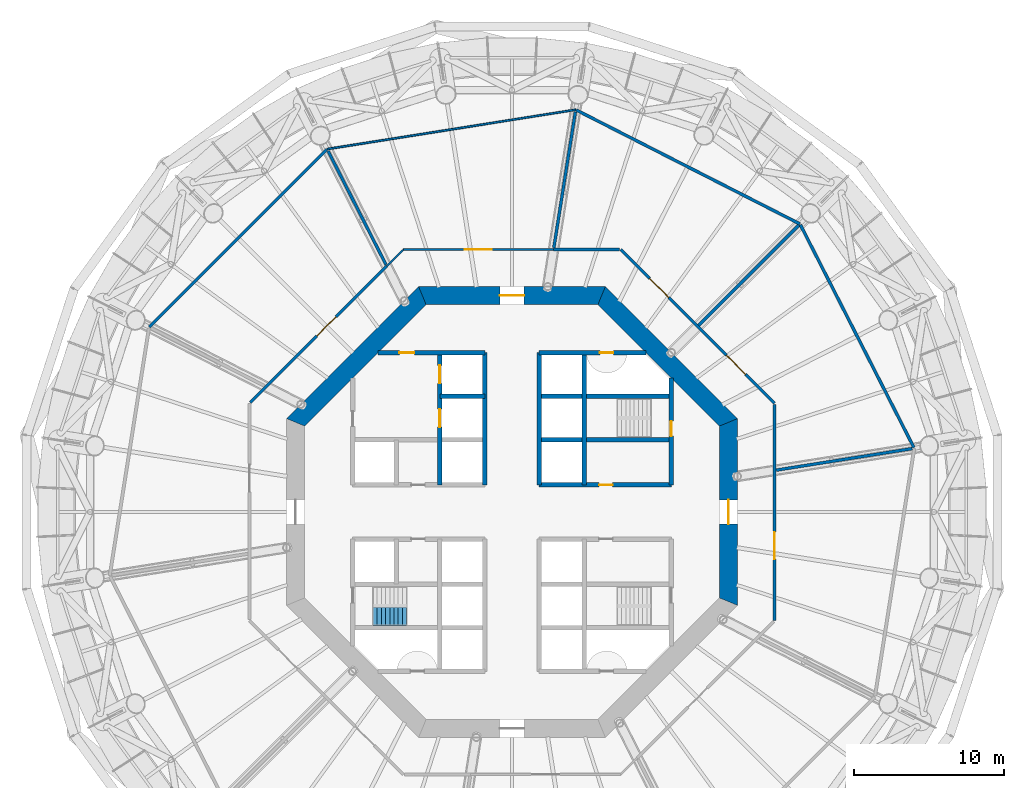
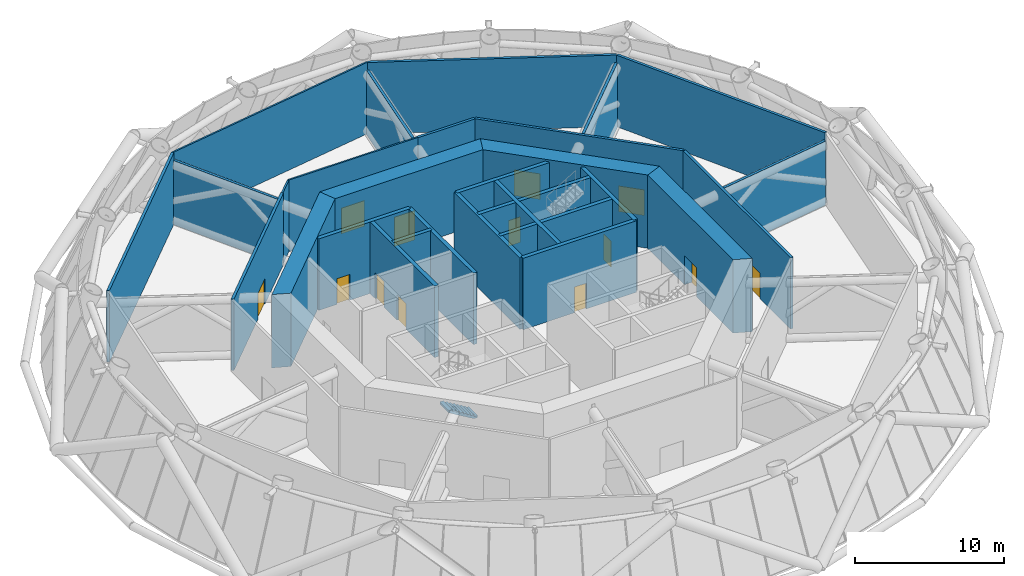
# One storey, part 9 of 18: 29 walls, 13 doors, 1 stair flight, 13 openings, 1 element without a shape of its own.
"""IFC4 building model written with IfcOpenShell, lengths in metres."""

from ifc_helpers import new_model, si_unit, direction, frame, frame_2d, origin, place, context, subcontext, project, spatial, polyline, rectangle, outline, extrude, material, layer, layer_set, type_object, element, fill, aggregate, save


model = new_model("IFC4")

# Units and contexts
model_context = context("Model", 3, precision=1e-05, world=origin(), true_north=direction((0.0, 1.0)))
body_context = subcontext(model_context, "Body", "Model", "MODEL_VIEW")
ifc_project = project(units=[si_unit("LENGTHUNIT", "METRE"), si_unit("AREAUNIT", "SQUARE_METRE"), si_unit("VOLUMEUNIT", "CUBIC_METRE"), si_unit("PLANEANGLEUNIT", "RADIAN"), si_unit("MASSUNIT", "GRAM", prefix="KILO")], contexts=[model_context])

# Site, building, storey
site_placement = place(None, origin())
site = spatial("IfcSite", under=ifc_project, at=site_placement, CompositionType="ELEMENT")
building_placement = place(site_placement, origin())
building = spatial("IfcBuilding", under=site, at=building_placement, Name="Entoto Ring Tower", CompositionType="ELEMENT")
storey_placement = place(building_placement, frame((0.0, 0.0, 138.0)))
storey = spatial("IfcBuildingStorey", under=building, at=storey_placement, Name="L31", CompositionType="ELEMENT", Elevation=138.0)

# Wall, opening, door
ifc_material_1 = material(Name="Concrete C40/50", Category="concrete")
ifc_layer_1 = layer(ifc_material_1, 0.300048828125)
ifc_layer_set_1 = layer_set([ifc_layer_1], Name="Concrete C40/50")
wall_type_1 = type_object("IfcWallType", Name="Core enclosure wall 300 mm reinforced concrete", PredefinedType="SOLIDWALL", material=ifc_layer_set_1)
wall_1_placement = place(storey_placement, frame((100.60009765625, 81.800048828125, 0.0), z_axis=(0.0, 0.0, 1.0), x_axis=(0.0, 1.0, 0.0)))
wall_1 = element("IfcWall", 1, at=wall_1_placement, inside=storey, type_object=wall_type_1, Name="wall-L31-002", PredefinedType="SOLIDWALL", context=body_context, shape_type="SweptSolid", body=[
    extrude(rectangle(XDim=7.115966796875, YDim=0.300048828125, at=frame_2d((3.55810546875, 0.0))), origin(), (0.0, 0.0, 1.0), 5.85009765625),
])
opening_1_placement = place(wall_1_placement, frame((3.25, 0.0, 0.0)))
opening_1 = element("IfcOpeningElement", 2, at=opening_1_placement, cuts=wall_1, Name="Opening K-41", PredefinedType="OPENING", context=body_context, shape_type="SweptSolid", body=[
    extrude(rectangle(XDim=1.0, YDim=2.10009765625, at=frame_2d((0.5, 1.050048828125))), frame((0.0, 0.16015625, 0.0), z_axis=(0.0, -1.0, 0.0), x_axis=(1.0, 0.0, 0.0)), (0.0, 0.0, 1.0), 0.320068359375),
])
ifc_material_2 = material(Name="Steel door leaf, fire rated", Category="steel")
ifc_layer_2 = layer(ifc_material_2, 0.050048828125)
ifc_layer_set_2 = layer_set([ifc_layer_2], Name="Steel door leaf, fire rated")
door_type_1 = type_object("IfcDoorType", Name="Fire door FD60 1000 x 2100 single leaf", OperationType="NOTDEFINED", PredefinedType="DOOR", material=ifc_layer_set_2)
door_1_placement = place(opening_1_placement, origin())
door_1 = element("IfcDoor", 3, at=door_1_placement, inside=storey, type_object=door_type_1, Name="Door K-41", OperationType="SINGLE_SWING_RIGHT", OverallHeight=2.10009765625, OverallWidth=1.0, PredefinedType="DOOR", context=body_context, shape_type="SweptSolid", body=[
    extrude(rectangle(XDim=1.0, YDim=2.10009765625, at=frame_2d((0.5, 1.050048828125))), frame((0.0, 0.02490234375, 0.0), z_axis=(0.0, -1.0, 0.0), x_axis=(1.0, 0.0, 0.0)), (0.0, 0.0, 1.0), 0.050048828125),
])
fill(opening_1, door_1)

# Walls
for number, where, z_axis, x_axis, name in (
    (4, (94.800048828125, 81.800048828125, 0.0), (0.0, 0.0, 1.0), (0.0, 1.0, 0.0), "wall-L31-004"),
    (5, (91.800048828125, 81.800048828125, 0.0), (0.0, 0.0, 1.0), (0.0, 1.0, 0.0), "wall-L31-006"),
    (6, (88.199951171875, 81.800048828125, 0.0), (0.0, 0.0, 1.0), (0.0, 1.0, 0.0), "wall-L31-008"),
):
    element("IfcWall", number, at=place(storey_placement, frame(where, z_axis=z_axis, x_axis=x_axis)), inside=storey, type_object=wall_type_1, Name=name, PredefinedType="SOLIDWALL", context=body_context, shape_type="SweptSolid", body=[
        extrude(rectangle(XDim=8.800048828125, YDim=0.300048828125, at=frame_2d((4.39990234375, 0.0))), origin(), (0.0, 0.0, 1.0), 5.85009765625),
    ])

# Wall, openings, doors
wall_2_placement = place(storey_placement, frame((85.199951171875, 81.800048828125, 0.0), z_axis=(0.0, 0.0, 1.0), x_axis=(0.0, 1.0, 0.0)))
wall_2 = element("IfcWall", 7, at=wall_2_placement, inside=storey, type_object=wall_type_1, Name="wall-L31-010", PredefinedType="SOLIDWALL", context=body_context, shape_type="SweptSolid", body=[
    extrude(rectangle(XDim=8.800048828125, YDim=0.300048828125, at=frame_2d((4.39990234375, 0.0))), origin(), (0.0, 0.0, 1.0), 5.85009765625),
])
opening_2_placement = place(wall_2_placement, frame((3.85009765625, 0.0, 0.0)))
opening_2 = element("IfcOpeningElement", 8, at=opening_2_placement, cuts=wall_2, Name="Opening LD", PredefinedType="OPENING", context=body_context, shape_type="SweptSolid", body=[
    extrude(rectangle(XDim=1.199951171875, YDim=2.10009765625, at=frame_2d((0.60009765625, 1.050048828125))), frame((0.0, 0.16015625, 0.0), z_axis=(0.0, -1.0, 0.0), x_axis=(1.0, 0.0, 0.0)), (0.0, 0.0, 1.0), 0.320068359375),
])
opening_3_placement = place(wall_2_placement, frame((6.75, 0.0, 0.0)))
opening_3 = element("IfcOpeningElement", 9, at=opening_3_placement, cuts=wall_2, Name="Opening LD", PredefinedType="OPENING", context=body_context, shape_type="SweptSolid", body=[
    extrude(rectangle(XDim=1.199951171875, YDim=2.10009765625, at=frame_2d((0.60009765625, 1.050048828125))), frame((0.0, 0.16015625, 0.0), z_axis=(0.0, -1.0, 0.0), x_axis=(1.0, 0.0, 0.0)), (0.0, 0.0, 1.0), 0.320068359375),
])
ifc_material_3 = material(Name="Steel and glass door leaf", Category="steel")
ifc_layer_3 = layer(ifc_material_3, 0.050048828125)
ifc_layer_set_3 = layer_set([ifc_layer_3], Name="Steel and glass door leaf")
door_type_2 = type_object("IfcDoorType", Name="Landing door 1200 x 2100 sliding", OperationType="DOUBLE_DOOR_SLIDING", PredefinedType="DOOR", material=ifc_layer_set_3)
door_2_placement = place(opening_2_placement, origin())
door_2 = element("IfcDoor", 10, at=door_2_placement, inside=storey, type_object=door_type_2, Name="Landing door FF1", OperationType="SLIDING_TO_RIGHT", OverallHeight=2.10009765625, OverallWidth=1.199951171875, PredefinedType="DOOR", context=body_context, shape_type="SweptSolid", body=[
    extrude(rectangle(XDim=1.199951171875, YDim=2.10009765625, at=frame_2d((0.60009765625, 1.050048828125))), frame((0.0, 0.02490234375, 0.0), z_axis=(0.0, -1.0, 0.0), x_axis=(1.0, 0.0, 0.0)), (0.0, 0.0, 1.0), 0.050048828125),
])
fill(opening_2, door_2)
door_3_placement = place(opening_3_placement, origin())
door_3 = element("IfcDoor", 11, at=door_3_placement, inside=storey, type_object=door_type_2, Name="Landing door FF2", OperationType="SLIDING_TO_RIGHT", OverallHeight=2.10009765625, OverallWidth=1.199951171875, PredefinedType="DOOR", context=body_context, shape_type="SweptSolid", body=[
    extrude(rectangle(XDim=1.199951171875, YDim=2.10009765625, at=frame_2d((0.60009765625, 1.050048828125))), frame((0.0, 0.02490234375, 0.0), z_axis=(0.0, -1.0, 0.0), x_axis=(1.0, 0.0, 0.0)), (0.0, 0.0, 1.0), 0.050048828125),
])
fill(opening_3, door_3)

# Wall, opening, door
wall_3_placement = place(storey_placement, frame((91.800048828125, 81.800048828125, 0.0), z_axis=(0.0, 0.0, 1.0), x_axis=(1.0, 0.0, 0.0)))
wall_3 = element("IfcWall", 12, at=wall_3_placement, inside=storey, type_object=wall_type_1, Name="wall-L31-024", PredefinedType="SOLIDWALL", context=body_context, shape_type="SweptSolid", body=[
    extrude(rectangle(XDim=8.800048828125, YDim=0.300048828125, at=frame_2d((4.39990234375, 0.0))), origin(), (0.0, 0.0, 1.0), 5.85009765625),
])
opening_4_placement = place(wall_3_placement, frame((4.0, 0.0, 0.0)))
opening_4 = element("IfcOpeningElement", 13, at=opening_4_placement, cuts=wall_3, Name="Opening K-05", PredefinedType="OPENING", context=body_context, shape_type="SweptSolid", body=[
    extrude(rectangle(XDim=0.89990234375, YDim=2.10009765625, at=frame_2d((0.449951171875, 1.050048828125))), frame((0.0, 0.16015625, 0.0), z_axis=(0.0, -1.0, 0.0), x_axis=(1.0, 0.0, 0.0)), (0.0, 0.0, 1.0), 0.320068359375),
])
ifc_material_4 = material(Name="Steel door leaf, fire rated", Category="steel")
ifc_layer_4 = layer(ifc_material_4, 0.050048828125)
ifc_layer_set_4 = layer_set([ifc_layer_4], Name="Steel door leaf, fire rated")
door_type_3 = type_object("IfcDoorType", Name="Core door 900 x 2100 single leaf", OperationType="NOTDEFINED", PredefinedType="DOOR", material=ifc_layer_set_4)
door_4_placement = place(opening_4_placement, frame((0.89990234375, 0.0, 0.0), z_axis=(0.0, 0.0, 1.0), x_axis=(-1.0, 0.0, 0.0)))
door_4 = element("IfcDoor", 14, at=door_4_placement, inside=storey, type_object=door_type_3, Name="Door K-05", OperationType="SINGLE_SWING_LEFT", OverallHeight=2.10009765625, OverallWidth=0.89990234375, PredefinedType="DOOR", context=body_context, shape_type="SweptSolid", body=[
    extrude(rectangle(XDim=0.89990234375, YDim=2.10009765625, at=frame_2d((0.449951171875, 1.050048828125))), frame((0.0, 0.02490234375, 0.0), z_axis=(0.0, -1.0, 0.0), x_axis=(1.0, 0.0, 0.0)), (0.0, 0.0, 1.0), 0.050048828125),
])
fill(opening_4, door_4)

# Walls
wall_4_placement = place(storey_placement, frame((91.800048828125, 84.800048828125, 0.0), z_axis=(0.0, 0.0, 1.0), x_axis=(1.0, 0.0, 0.0)))
element("IfcWall", 15, at=wall_4_placement, inside=storey, type_object=wall_type_1, Name="wall-L31-026", PredefinedType="SOLIDWALL", context=body_context, shape_type="SweptSolid", body=[
    extrude(rectangle(XDim=8.800048828125, YDim=0.300048828125, at=frame_2d((4.39990234375, 0.0))), origin(), (0.0, 0.0, 1.0), 5.85009765625),
])
wall_5_placement = place(storey_placement, frame((85.199951171875, 87.699951171875, 0.0), z_axis=(0.0, 0.0, 1.0), x_axis=(1.0, 0.0, 0.0)))
element("IfcWall", 16, at=wall_5_placement, inside=storey, type_object=wall_type_1, Name="wall-L31-027", PredefinedType="SOLIDWALL", context=body_context, shape_type="SweptSolid", body=[
    extrude(rectangle(XDim=3.0, YDim=0.300048828125, at=frame_2d((1.5, 0.0))), origin(), (0.0, 0.0, 1.0), 5.85009765625),
])
wall_6_placement = place(storey_placement, frame((91.800048828125, 87.699951171875, 0.0), z_axis=(0.0, 0.0, 1.0), x_axis=(1.0, 0.0, 0.0)))
element("IfcWall", 17, at=wall_6_placement, inside=storey, type_object=wall_type_1, Name="wall-L31-028", PredefinedType="SOLIDWALL", context=body_context, shape_type="SweptSolid", body=[
    extrude(rectangle(XDim=8.800048828125, YDim=0.300048828125, at=frame_2d((4.39990234375, 0.0))), origin(), (0.0, 0.0, 1.0), 5.85009765625),
])

# Wall, opening, door
wall_7_placement = place(storey_placement, frame((81.083984375, 90.60009765625, 0.0), z_axis=(0.0, 0.0, 1.0), x_axis=(1.0, 0.0, 0.0)))
wall_7 = element("IfcWall", 18, at=wall_7_placement, inside=storey, type_object=wall_type_1, Name="wall-L31-029", PredefinedType="SOLIDWALL", context=body_context, shape_type="SweptSolid", body=[
    extrude(rectangle(XDim=7.115966796875, YDim=0.300048828125, at=frame_2d((3.55810546875, 0.0))), origin(), (0.0, 0.0, 1.0), 5.85009765625),
])
opening_5_placement = place(wall_7_placement, frame((1.416015625, 0.0, 0.0)))
opening_5 = element("IfcOpeningElement", 19, at=opening_5_placement, cuts=wall_7, Name="Opening K-55", PredefinedType="OPENING", context=body_context, shape_type="SweptSolid", body=[
    extrude(rectangle(XDim=1.0, YDim=2.10009765625, at=frame_2d((0.5, 1.050048828125))), frame((0.0, 0.16015625, 0.0), z_axis=(0.0, -1.0, 0.0), x_axis=(1.0, 0.0, 0.0)), (0.0, 0.0, 1.0), 0.320068359375),
])
door_5_placement = place(opening_5_placement, frame((1.0, 0.0, 0.0), z_axis=(0.0, 0.0, 1.0), x_axis=(-1.0, 0.0, 0.0)))
door_5 = element("IfcDoor", 20, at=door_5_placement, inside=storey, type_object=door_type_1, Name="Door K-55", OperationType="SINGLE_SWING_RIGHT", OverallHeight=2.10009765625, OverallWidth=1.0, PredefinedType="DOOR", context=body_context, shape_type="SweptSolid", body=[
    extrude(rectangle(XDim=1.0, YDim=2.10009765625, at=frame_2d((0.5, 1.050048828125))), frame((0.0, 0.02490234375, 0.0), z_axis=(0.0, -1.0, 0.0), x_axis=(1.0, 0.0, 0.0)), (0.0, 0.0, 1.0), 0.050048828125),
])
fill(opening_5, door_5)

wall_8_placement = place(storey_placement, frame((91.800048828125, 90.60009765625, 0.0), z_axis=(0.0, 0.0, 1.0), x_axis=(1.0, 0.0, 0.0)))
wall_8 = element("IfcWall", 21, at=wall_8_placement, inside=storey, type_object=wall_type_1, Name="wall-L31-030", PredefinedType="SOLIDWALL", context=body_context, shape_type="SweptSolid", body=[
    extrude(rectangle(XDim=7.115966796875, YDim=0.300048828125, at=frame_2d((3.55810546875, 0.0))), origin(), (0.0, 0.0, 1.0), 5.85009765625),
])
opening_6_placement = place(wall_8_placement, frame((4.050048828125, 0.0, 0.0)))
opening_6 = element("IfcOpeningElement", 22, at=opening_6_placement, cuts=wall_8, Name="Opening K-45", PredefinedType="OPENING", context=body_context, shape_type="SweptSolid", body=[
    extrude(rectangle(XDim=0.89990234375, YDim=2.10009765625, at=frame_2d((0.449951171875, 1.050048828125))), frame((0.0, 0.16015625, 0.0), z_axis=(0.0, -1.0, 0.0), x_axis=(1.0, 0.0, 0.0)), (0.0, 0.0, 1.0), 0.320068359375),
])
ifc_material_5 = material(Name="Steel door leaf, fire rated", Category="steel")
ifc_layer_5 = layer(ifc_material_5, 0.050048828125)
ifc_layer_set_5 = layer_set([ifc_layer_5], Name="Steel door leaf, fire rated")
door_type_4 = type_object("IfcDoorType", Name="Riser door FD60 900 x 2100 single leaf", OperationType="NOTDEFINED", PredefinedType="DOOR", material=ifc_layer_set_5)
door_6_placement = place(opening_6_placement, frame((0.89990234375, 0.0, 0.0), z_axis=(0.0, 0.0, 1.0), x_axis=(-1.0, 0.0, 0.0)))
door_6 = element("IfcDoor", 23, at=door_6_placement, inside=storey, type_object=door_type_4, Name="Door K-45", OperationType="SINGLE_SWING_LEFT", OverallHeight=2.10009765625, OverallWidth=0.89990234375, PredefinedType="DOOR", context=body_context, shape_type="SweptSolid", body=[
    extrude(rectangle(XDim=0.89990234375, YDim=2.10009765625, at=frame_2d((0.449951171875, 1.050048828125))), frame((0.0, 0.02490234375, 0.0), z_axis=(0.0, -1.0, 0.0), x_axis=(1.0, 0.0, 0.0)), (0.0, 0.0, 1.0), 0.050048828125),
])
fill(opening_6, door_6)

ifc_material_6 = material(Name="Concrete C60/75", Category="concrete")
ifc_layer_6 = layer(ifc_material_6, 1.199951171875)
ifc_layer_set_6 = layer_set([ifc_layer_6], Name="Concrete C60/75")
wall_type_2 = type_object("IfcWallType", Name="Core shear wall 1200 mm reinforced concrete C60/75", PredefinedType="SHEAR", material=ifc_layer_set_6)
wall_9_placement = place(storey_placement, frame((104.39990234375, 74.035400390625, 0.0), z_axis=(0.0, 0.0, 1.0), x_axis=(0.0, 1.0, 0.0)))
wall_9 = element("IfcWall", 24, at=wall_9_placement, inside=storey, type_object=wall_type_2, Name="wall-L31-core-0", PredefinedType="SHEAR", context=body_context, shape_type="SweptSolid", body=[
    extrude(outline(polyline([(-0.24853515625, -0.60009765625), (12.177734375, -0.60009765625), (11.6806640625, 0.60009765625), (0.24853515625, 0.60009765625), (-0.24853515625, -0.60009765625)])), origin(), (0.0, 0.0, 1.0), 6.0),
])
opening_7_placement = place(wall_9_placement, frame((5.164794921875, 0.0, 0.0)))
opening_7 = element("IfcOpeningElement", 25, at=opening_7_placement, cuts=wall_9, Name="Opening K-01", PredefinedType="OPENING", context=body_context, shape_type="SweptSolid", body=[
    extrude(rectangle(XDim=1.60009765625, YDim=2.39990234375, at=frame_2d((0.800048828125, 1.199951171875))), frame((0.0, 0.60986328125, 0.0), z_axis=(0.0, -1.0, 0.0), x_axis=(1.0, 0.0, 0.0)), (0.0, 0.0, 1.0), 1.219970703125),
])
ifc_material_7 = material(Name="Steel door leaf, fire rated", Category="steel")
ifc_layer_7 = layer(ifc_material_7, 0.050048828125)
ifc_layer_set_7 = layer_set([ifc_layer_7], Name="Steel door leaf, fire rated")
door_type_5 = type_object("IfcDoorType", Name="Entrance door FD60 1600 x 2400 double leaf", OperationType="DOUBLE_DOOR_SINGLE_SWING", PredefinedType="DOOR", material=ifc_layer_set_7)
door_7_placement = place(opening_7_placement, origin())
door_7 = element("IfcDoor", 26, at=door_7_placement, inside=storey, type_object=door_type_5, Name="Entrance door K-01", OperationType="DOUBLE_DOOR_SINGLE_SWING", OverallHeight=2.39990234375, OverallWidth=1.60009765625, PredefinedType="DOOR", context=body_context, shape_type="SweptSolid", body=[
    extrude(rectangle(XDim=1.60009765625, YDim=2.39990234375, at=frame_2d((0.800048828125, 1.199951171875))), frame((0.0, 0.02490234375, 0.0), z_axis=(0.0, -1.0, 0.0), x_axis=(1.0, 0.0, 0.0)), (0.0, 0.0, 1.0), 0.050048828125),
])
fill(opening_7, door_7)

# Wall
wall_10_placement = place(storey_placement, frame((104.39990234375, 85.964599609375, 0.0), z_axis=(0.0, 0.0, 1.0), x_axis=(-0.707106781187, 0.707106781187, 0.0)))
element("IfcWall", 27, at=wall_10_placement, inside=storey, type_object=wall_type_2, Name="wall-L31-core-1", PredefinedType="SHEAR", context=body_context, shape_type="SweptSolid", body=[
    extrude(outline(polyline([(-0.24853515625, -0.60009765625), (12.177734375, -0.60009765625), (11.6806640625, 0.60009765625), (0.24853515625, 0.60009765625), (-0.24853515625, -0.60009765625)])), origin(), (0.0, 0.0, 1.0), 6.0),
])

# Wall, opening, door
wall_11_placement = place(storey_placement, frame((95.964599609375, 94.39990234375, 0.0), z_axis=(0.0, 0.0, 1.0), x_axis=(-1.0, 0.0, 0.0)))
wall_11 = element("IfcWall", 28, at=wall_11_placement, inside=storey, type_object=wall_type_2, Name="wall-L31-core-2", PredefinedType="SHEAR", context=body_context, shape_type="SweptSolid", body=[
    extrude(outline(polyline([(-0.24853515625, -0.60009765625), (12.177734375, -0.60009765625), (11.6806640625, 0.60009765625), (0.24853515625, 0.60009765625), (-0.24853515625, -0.60009765625)])), origin(), (0.0, 0.0, 1.0), 6.0),
])
opening_8_placement = place(wall_11_placement, frame((5.164794921875, 0.0, 0.0)))
opening_8 = element("IfcOpeningElement", 29, at=opening_8_placement, cuts=wall_11, Name="Opening K-02", PredefinedType="OPENING", context=body_context, shape_type="SweptSolid", body=[
    extrude(rectangle(XDim=1.60009765625, YDim=2.39990234375, at=frame_2d((0.800048828125, 1.199951171875))), frame((0.0, 0.60986328125, 0.0), z_axis=(0.0, -1.0, 0.0), x_axis=(1.0, 0.0, 0.0)), (0.0, 0.0, 1.0), 1.219970703125),
])
door_8_placement = place(opening_8_placement, origin())
door_8 = element("IfcDoor", 30, at=door_8_placement, inside=storey, type_object=door_type_5, Name="Entrance door K-02", OperationType="DOUBLE_DOOR_SINGLE_SWING", OverallHeight=2.39990234375, OverallWidth=1.60009765625, PredefinedType="DOOR", context=body_context, shape_type="SweptSolid", body=[
    extrude(rectangle(XDim=1.60009765625, YDim=2.39990234375, at=frame_2d((0.800048828125, 1.199951171875))), frame((0.0, 0.02490234375, 0.0), z_axis=(0.0, -1.0, 0.0), x_axis=(1.0, 0.0, 0.0)), (0.0, 0.0, 1.0), 0.050048828125),
])
fill(opening_8, door_8)

# Walls
wall_12_placement = place(storey_placement, frame((84.035400390625, 94.39990234375, 0.0), z_axis=(0.0, 0.0, 1.0), x_axis=(-0.707106781187, -0.707106781187, 0.0)))
element("IfcWall", 31, at=wall_12_placement, inside=storey, type_object=wall_type_2, Name="wall-L31-core-3", PredefinedType="SHEAR", context=body_context, shape_type="SweptSolid", body=[
    extrude(outline(polyline([(-0.24853515625, -0.60009765625), (12.177734375, -0.60009765625), (11.6806640625, 0.60009765625), (0.24853515625, 0.60009765625), (-0.24853515625, -0.60009765625)])), origin(), (0.0, 0.0, 1.0), 6.0),
])
ifc_material_8 = material(Name="Fire-resisting plasterboard on steel studs", Category="steel")
ifc_layer_8 = layer(ifc_material_8, 0.125)
ifc_layer_set_8 = layer_set([ifc_layer_8], Name="Fire-resisting plasterboard on steel studs")
wall_type_3 = type_object("IfcWallType", Name="Corridor wall 125 mm one-hour plasterboard on steel studs", PredefinedType="PARTITIONING", material=ifc_layer_set_8)
wall_13_placement = place(storey_placement, frame((77.697021484375, 104.146240234375, 0.0), z_axis=(0.0, 0.0, 1.0), x_axis=(0.98768756248, 0.156439377784, 0.0)))
element("IfcWall", 32, at=wall_13_placement, inside=storey, type_object=wall_type_3, Name="partition-L31-001", PredefinedType="PARTITIONING", context=body_context, shape_type="SweptSolid", body=[
    extrude(rectangle(XDim=16.74853515625, YDim=0.125, at=frame_2d((8.374267578125, 0.0))), origin(), (0.0, 0.0, 1.0), 5.85009765625),
])

# Wall, opening, door
wall_14_placement = place(storey_placement, frame((82.766845703125, 97.46240234375, 0.0), z_axis=(0.0, 0.0, 1.0), x_axis=(1.0, 0.0, 0.0)))
wall_14 = element("IfcWall", 33, at=wall_14_placement, inside=storey, type_object=wall_type_3, Name="partition-L31-003", PredefinedType="PARTITIONING", context=body_context, shape_type="SweptSolid", body=[
    extrude(rectangle(XDim=9.9990234375, YDim=0.125, at=frame_2d((4.99951171875, 0.0))), origin(), (0.0, 0.0, 1.0), 5.85009765625),
])
opening_9_placement = place(wall_14_placement, frame((4.099609375, 0.0, 0.0)))
opening_9 = element("IfcOpeningElement", 34, at=opening_9_placement, cuts=wall_14, Name="Opening A14-D03", PredefinedType="OPENING", context=body_context, shape_type="SweptSolid", body=[
    extrude(rectangle(XDim=1.800048828125, YDim=2.10009765625, at=frame_2d((0.89990234375, 1.050048828125))), frame((0.0, 0.072509765625, 0.0), z_axis=(0.0, -1.0, 0.0), x_axis=(1.0, 0.0, 0.0)), (0.0, 0.0, 1.0), 0.14501953125),
])
ifc_material_9 = material(Name="Fire-resisting timber door set", Category="wood")
door_type_6 = type_object("IfcDoorType", Name="Door 1800 x 2100 double leaf FD30S fire door", OperationType="DOUBLE_DOOR_SINGLE_SWING", PredefinedType="DOOR", material=ifc_material_9)
door_9_placement = place(opening_9_placement, origin())
door_9 = element("IfcDoor", 35, at=door_9_placement, inside=storey, type_object=door_type_6, Name="Door A14-D03", OperationType="DOUBLE_DOOR_SINGLE_SWING", OverallHeight=2.10009765625, OverallWidth=1.800048828125, PredefinedType="DOOR", context=body_context, shape_type="SweptSolid", body=[
    extrude(rectangle(XDim=1.800048828125, YDim=2.10009765625, at=frame_2d((0.89990234375, 1.050048828125))), frame((0.0, 0.02490234375, 0.0), z_axis=(0.0, -1.0, 0.0), x_axis=(1.0, 0.0, 0.0)), (0.0, 0.0, 1.0), 0.050048828125),
])
fill(opening_9, door_9)

# Walls
wall_15_placement = place(storey_placement, frame((81.664306640625, 96.35986328125, 0.0), z_axis=(0.0, 0.0, 1.0), x_axis=(0.70702621299, 0.707187340204, 0.0)))
element("IfcWall", 36, at=wall_15_placement, inside=storey, type_object=wall_type_3, Name="partition-L31-005", PredefinedType="PARTITIONING", context=body_context, shape_type="SweptSolid", body=[
    extrude(rectangle(XDim=1.51513671875, YDim=0.125, at=frame_2d((0.757568359375, 0.0))), origin(), (0.0, 0.0, 1.0), 5.85009765625),
])
ifc_material_10 = material(Name="Concrete C20/25", Category="concrete")
ifc_layer_9 = layer(ifc_material_10, 0.199951171875)
ifc_layer_set_9 = layer_set([ifc_layer_9], Name="Concrete C20/25")
wall_type_4 = type_object("IfcWallType", Name="Plant room wall 200 mm two-hour concrete", PredefinedType="PARTITIONING", material=ifc_layer_set_9)
for number, where, z_axis, x_axis, name in (
    (37, (65.853759765625, 92.30322265625, 0.0), (0.0, 0.0, 1.0), (0.707106781187, 0.707106781187, 0.0), "partition-L31-007"),
    (38, (109.16259765625, 99.16259765625, 0.0), (0.0, 0.0, 1.0), (-0.89100939452, 0.453984866353, 0.0), "partition-L31-013"),
):
    element("IfcWall", number, at=place(storey_placement, frame(where, z_axis=z_axis, x_axis=x_axis)), inside=storey, type_object=wall_type_4, Name=name, PredefinedType="PARTITIONING", context=body_context, shape_type="SweptSolid", body=[
        extrude(rectangle(XDim=16.71240234375, YDim=0.199951171875, at=frame_2d((8.356201171875, 0.0))), origin(), (0.0, 0.0, 1.0), 5.85009765625),
    ])
wall_16_placement = place(storey_placement, frame((116.73974609375, 84.29150390625, 0.0), z_axis=(0.0, 0.0, 1.0), x_axis=(-0.453982513934, 0.891010593115, 0.0)))
element("IfcWall", 39, at=wall_16_placement, inside=storey, type_object=wall_type_4, Name="partition-L31-014", PredefinedType="PARTITIONING", context=body_context, shape_type="SweptSolid", body=[
    extrude(rectangle(XDim=16.6318359375, YDim=0.199951171875, at=frame_2d((8.31591796875, 0.0))), origin(), (0.0, 0.0, 1.0), 5.85009765625),
])

# Wall, openings, doors
wall_17_placement = place(storey_placement, frame((107.46240234375, 87.233154296875, 0.0), z_axis=(0.0, 0.0, 1.0), x_axis=(-0.707106781187, 0.707106781187, 0.0)))
wall_17 = element("IfcWall", 40, at=wall_17_placement, inside=storey, type_object=wall_type_4, Name="partition-L31-016", PredefinedType="PARTITIONING", context=body_context, shape_type="SweptSolid", body=[
    extrude(rectangle(XDim=14.46630859375, YDim=0.199951171875, at=frame_2d((7.233154296875, 0.0))), origin(), (0.0, 0.0, 1.0), 5.85009765625),
])
opening_10_placement = place(wall_17_placement, frame((2.716796875, 0.0, 0.0)))
opening_10 = element("IfcOpeningElement", 41, at=opening_10_placement, cuts=wall_17, Name="Opening A14-D01", PredefinedType="OPENING", context=body_context, shape_type="SweptSolid", body=[
    extrude(rectangle(XDim=1.800048828125, YDim=2.10009765625, at=frame_2d((0.89990234375, 1.050048828125))), frame((0.0, 0.10986328125, 0.0), z_axis=(0.0, -1.0, 0.0), x_axis=(1.0, 0.0, 0.0)), (0.0, 0.0, 1.0), 0.219970703125),
])
opening_11_placement = place(wall_17_placement, frame((9.94970703125, 0.0, 0.0)))
opening_11 = element("IfcOpeningElement", 42, at=opening_11_placement, cuts=wall_17, Name="Opening A14-D02", PredefinedType="OPENING", context=body_context, shape_type="SweptSolid", body=[
    extrude(rectangle(XDim=1.800048828125, YDim=2.10009765625, at=frame_2d((0.89990234375, 1.050048828125))), frame((0.0, 0.10986328125, 0.0), z_axis=(0.0, -1.0, 0.0), x_axis=(1.0, 0.0, 0.0)), (0.0, 0.0, 1.0), 0.219970703125),
])
ifc_material_11 = material(Name="Fire-resisting steel door set", Category="steel")
door_type_7 = type_object("IfcDoorType", Name="Door 1800 x 2100 double leaf FD60 steel door", OperationType="DOUBLE_DOOR_SINGLE_SWING", PredefinedType="DOOR", material=ifc_material_11)
door_10_placement = place(opening_10_placement, frame((1.800048828125, 0.0, 0.0), z_axis=(0.0, 0.0, 1.0), x_axis=(-1.0, 0.0, 0.0)))
door_10 = element("IfcDoor", 43, at=door_10_placement, inside=storey, type_object=door_type_7, Name="Door A14-D01", OperationType="DOUBLE_DOOR_SINGLE_SWING", OverallHeight=2.10009765625, OverallWidth=1.800048828125, PredefinedType="DOOR", context=body_context, shape_type="SweptSolid", body=[
    extrude(rectangle(XDim=1.800048828125, YDim=2.10009765625, at=frame_2d((0.89990234375, 1.050048828125))), frame((0.0, 0.02490234375, 0.0), z_axis=(0.0, -1.0, 0.0), x_axis=(1.0, 0.0, 0.0)), (0.0, 0.0, 1.0), 0.050048828125),
])
fill(opening_10, door_10)
door_11_placement = place(opening_11_placement, frame((1.800048828125, 0.0, 0.0), z_axis=(0.0, 0.0, 1.0), x_axis=(-1.0, 0.0, 0.0)))
door_11 = element("IfcDoor", 44, at=door_11_placement, inside=storey, type_object=door_type_7, Name="Door A14-D02", OperationType="DOUBLE_DOOR_SINGLE_SWING", OverallHeight=2.10009765625, OverallWidth=1.800048828125, PredefinedType="DOOR", context=body_context, shape_type="SweptSolid", body=[
    extrude(rectangle(XDim=1.800048828125, YDim=2.10009765625, at=frame_2d((0.89990234375, 1.050048828125))), frame((0.0, 0.02490234375, 0.0), z_axis=(0.0, -1.0, 0.0), x_axis=(1.0, 0.0, 0.0)), (0.0, 0.0, 1.0), 0.050048828125),
])
fill(opening_11, door_11)

# Wall, opening, door
wall_18_placement = place(storey_placement, frame((107.46240234375, 72.766845703125, 0.0), z_axis=(0.0, 0.0, 1.0), x_axis=(0.0, 1.0, 0.0)))
wall_18 = element("IfcWall", 45, at=wall_18_placement, inside=storey, type_object=wall_type_4, Name="partition-L31-018", PredefinedType="PARTITIONING", context=body_context, shape_type="SweptSolid", body=[
    extrude(rectangle(XDim=14.395751953125, YDim=0.199951171875, at=frame_2d((7.19775390625, 0.0))), origin(), (0.0, 0.0, 1.0), 5.85009765625),
])
opening_12_placement = place(wall_18_placement, frame((4.099609375, 0.0, 0.0)))
opening_12 = element("IfcOpeningElement", 46, at=opening_12_placement, cuts=wall_18, Name="Opening A14-D10", PredefinedType="OPENING", context=body_context, shape_type="SweptSolid", body=[
    extrude(rectangle(XDim=1.800048828125, YDim=2.10009765625, at=frame_2d((0.89990234375, 1.050048828125))), frame((0.0, 0.10986328125, 0.0), z_axis=(0.0, -1.0, 0.0), x_axis=(1.0, 0.0, 0.0)), (0.0, 0.0, 1.0), 0.219970703125),
])
door_12_placement = place(opening_12_placement, frame((1.800048828125, 0.0, 0.0), z_axis=(0.0, 0.0, 1.0), x_axis=(-1.0, 0.0, 0.0)))
door_12 = element("IfcDoor", 47, at=door_12_placement, inside=storey, type_object=door_type_7, Name="Door A14-D10", OperationType="DOUBLE_DOOR_SINGLE_SWING", OverallHeight=2.10009765625, OverallWidth=1.800048828125, PredefinedType="DOOR", context=body_context, shape_type="SweptSolid", body=[
    extrude(rectangle(XDim=1.800048828125, YDim=2.10009765625, at=frame_2d((0.89990234375, 1.050048828125))), frame((0.0, 0.02490234375, 0.0), z_axis=(0.0, -1.0, 0.0), x_axis=(1.0, 0.0, 0.0)), (0.0, 0.0, 1.0), 0.050048828125),
])
fill(opening_12, door_12)

wall_19_placement = place(storey_placement, frame((72.58740234375, 87.283203125, 0.0), z_axis=(0.0, 0.0, 1.0), x_axis=(0.707116290742, 0.707097271503, 0.0)))
wall_19 = element("IfcWall", 48, at=wall_19_placement, inside=storey, type_object=wall_type_4, Name="partition-L31-019", PredefinedType="PARTITIONING", context=body_context, shape_type="SweptSolid", body=[
    extrude(rectangle(XDim=12.83642578125, YDim=0.199951171875, at=frame_2d((6.418212890625, 0.0))), origin(), (0.0, 0.0, 1.0), 5.85009765625),
])
opening_13_placement = place(wall_19_placement, frame((6.2626953125, 0.0, 0.0)))
opening_13 = element("IfcOpeningElement", 49, at=opening_13_placement, cuts=wall_19, Name="Opening A14-D04", PredefinedType="OPENING", context=body_context, shape_type="SweptSolid", body=[
    extrude(rectangle(XDim=1.800048828125, YDim=2.10009765625, at=frame_2d((0.89990234375, 1.050048828125))), frame((0.0, 0.10986328125, 0.0), z_axis=(0.0, -1.0, 0.0), x_axis=(1.0, 0.0, 0.0)), (0.0, 0.0, 1.0), 0.219970703125),
])
door_13_placement = place(opening_13_placement, origin())
door_13 = element("IfcDoor", 50, at=door_13_placement, inside=storey, type_object=door_type_7, Name="Door A14-D04", OperationType="DOUBLE_DOOR_SINGLE_SWING", OverallHeight=2.10009765625, OverallWidth=1.800048828125, PredefinedType="DOOR", context=body_context, shape_type="SweptSolid", body=[
    extrude(rectangle(XDim=1.800048828125, YDim=2.10009765625, at=frame_2d((0.89990234375, 1.050048828125))), frame((0.0, 0.02490234375, 0.0), z_axis=(0.0, -1.0, 0.0), x_axis=(1.0, 0.0, 0.0)), (0.0, 0.0, 1.0), 0.050048828125),
])
fill(opening_13, door_13)

# Walls
wall_20_placement = place(storey_placement, frame((92.765869140625, 97.46240234375, 0.0), z_axis=(0.0, 0.0, 1.0), x_axis=(1.0, 0.0, 0.0)))
element("IfcWall", 51, at=wall_20_placement, inside=storey, type_object=wall_type_4, Name="partition-L31-032", PredefinedType="PARTITIONING", context=body_context, shape_type="SweptSolid", body=[
    extrude(rectangle(XDim=4.396728515625, YDim=0.199951171875, at=frame_2d((2.1982421875, 0.0))), origin(), (0.0, 0.0, 1.0), 5.85009765625),
])
ifc_material_12 = material(Name="Concrete C20/25", Category="concrete")
ifc_layer_10 = layer(ifc_material_12, 0.199951171875)
ifc_layer_set_10 = layer_set([ifc_layer_10], Name="Concrete C20/25")
wall_type_5 = type_object("IfcWallType", Name="Plant room wall 200 mm two-hour concrete, 5250 mm high", PredefinedType="PARTITIONING", material=ifc_layer_set_10)
wall_21_placement = place(storey_placement, frame((102.418701171875, 92.418701171875, 0.0), z_axis=(0.0, 0.0, 1.0), x_axis=(0.707106781187, 0.707106781187, 0.0)))
element("IfcWall", 52, at=wall_21_placement, inside=storey, type_object=wall_type_5, Name="partition-L31-022", PredefinedType="PARTITIONING", context=body_context, shape_type="SweptSolid", body=[
    extrude(rectangle(XDim=9.39990234375, YDim=0.199951171875, at=frame_2d((4.699951171875, 0.0))), origin(), (0.0, 0.0, 1.0), 5.25),
])
for number, where, z_axis, x_axis, name in (
    (53, (92.7841796875, 97.578125, 0.0), (0.0, 0.0, 1.0), (0.156441307989, 0.987687256754, 0.0), "partition-L31-025"),
    (54, (107.578125, 82.7841796875, 0.0), (0.0, 0.0, 1.0), (0.987687256754, 0.156441307989, 0.0), "partition-L31-026"),
):
    element("IfcWall", number, at=place(storey_placement, frame(where, z_axis=z_axis, x_axis=x_axis)), inside=storey, type_object=wall_type_5, Name=name, PredefinedType="PARTITIONING", context=body_context, shape_type="SweptSolid", body=[
        extrude(rectangle(XDim=9.165283203125, YDim=0.199951171875, at=frame_2d((4.58251953125, 0.0))), origin(), (0.0, 0.0, 1.0), 5.25),
    ])
wall_22_placement = place(storey_placement, frame((81.61962890625, 96.447265625, 0.0), z_axis=(0.0, 0.0, 1.0), x_axis=(-0.453988145713, 0.891007723621, 0.0)))
element("IfcWall", 55, at=wall_22_placement, inside=storey, type_object=wall_type_5, Name="partition-L31-028", PredefinedType="PARTITIONING", context=body_context, shape_type="SweptSolid", body=[
    extrude(rectangle(XDim=8.503173828125, YDim=0.199951171875, at=frame_2d((4.25146484375, 0.0))), origin(), (0.0, 0.0, 1.0), 5.25),
])

# Stair, stair flight
ifc_material_13 = material(Name="Concrete C40/50", Category="concrete")
stair_type = type_object("IfcStairType", Name="Exit stair 1200 mm dog-leg reinforced concrete", PredefinedType="HALF_TURN_STAIR", material=ifc_material_13)
stair_placement = place(storey_placement, origin())
stair = element("IfcStair", 56, at=stair_placement, inside=storey, type_object=stair_type, Name="Exit stair 2", PredefinedType="HALF_TURN_STAIR")
ifc_material_14 = material(Name="Concrete C40/50", Category="concrete")
stair_flight_type = type_object("IfcStairFlightType", Name="Stair flight 1200 mm reinforced concrete", PredefinedType="STRAIGHT", material=ifc_material_14)
stair_flight_placement = place(storey_placement, frame((82.989990234375, 73.050048828125, 1.5), z_axis=(0.0, 0.0, 1.0), x_axis=(-1.0, 0.0, 0.0)))
stair_flight = element("IfcStairFlight", 57, at=stair_flight_placement, type_object=stair_flight_type, Name="ST2 flight 2", NumberOfRisers=9, NumberOfTreads=8, PredefinedType="STRAIGHT", RiserHeight=0.166666667, TreadLength=0.28, context=body_context, shape_type="SweptSolid", body=[
    extrude(outline(polyline([(0.0, 0.0), (0.0, 0.166748046875), (0.280029296875, 0.166748046875), (0.280029296875, 0.333251953125), (0.56005859375, 0.333251953125), (0.56005859375, 0.5), (0.840087890625, 0.5), (0.840087890625, 0.666748046875), (1.1201171875, 0.666748046875), (1.1201171875, 0.833251953125), (1.39990234375, 0.833251953125), (1.39990234375, 1.0), (1.679931640625, 1.0), (1.679931640625, 1.166748046875), (1.9599609375, 1.166748046875), (1.9599609375, 1.333251953125), (2.239990234375, 1.333251953125), (2.239990234375, 1.5), (2.239990234375, 1.158935546875), (0.29296875, 0.0), (0.0, 0.0)])), frame((0.0, 0.60009765625, 0.0), z_axis=(0.0, -1.0, 0.0), x_axis=(1.0, 0.0, 0.0)), (0.0, 0.0, 1.0), 1.199951171875),
])
aggregate(stair, [stair_flight])

save(model, "model.ifc")
